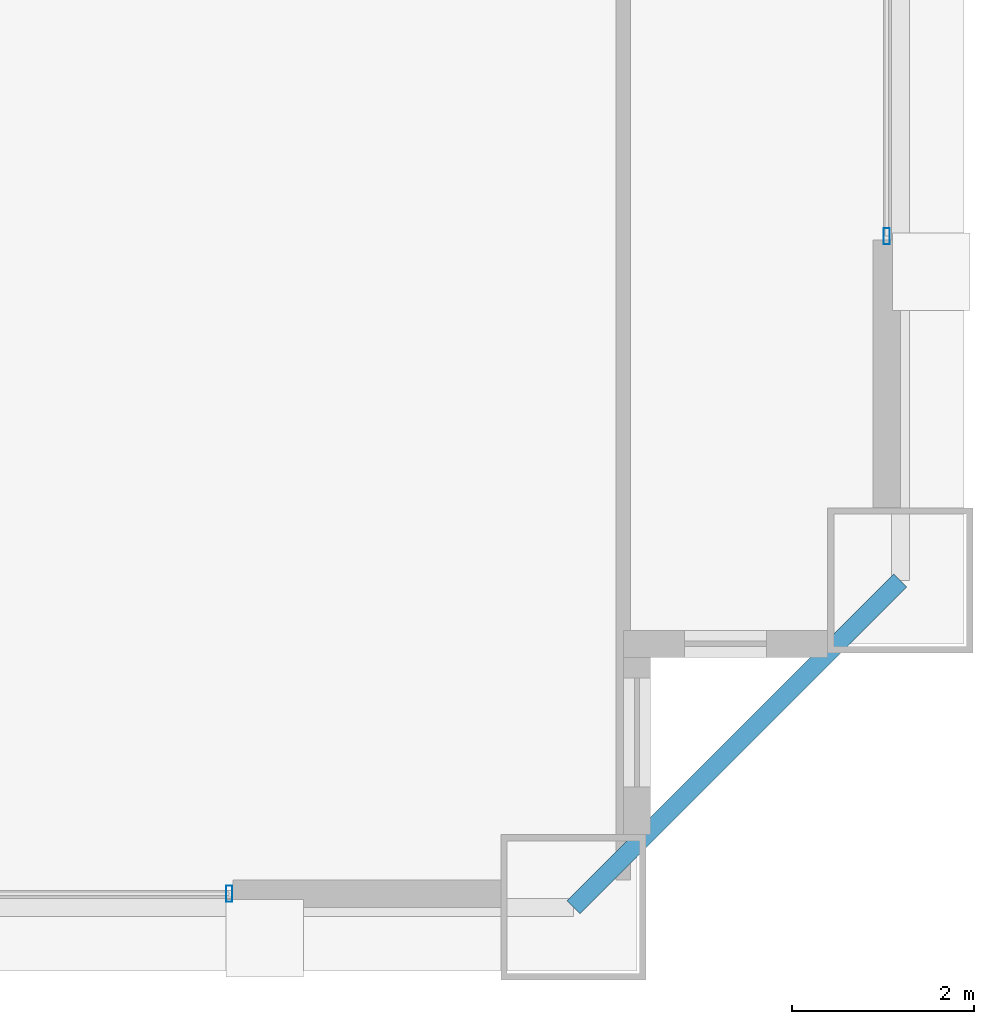
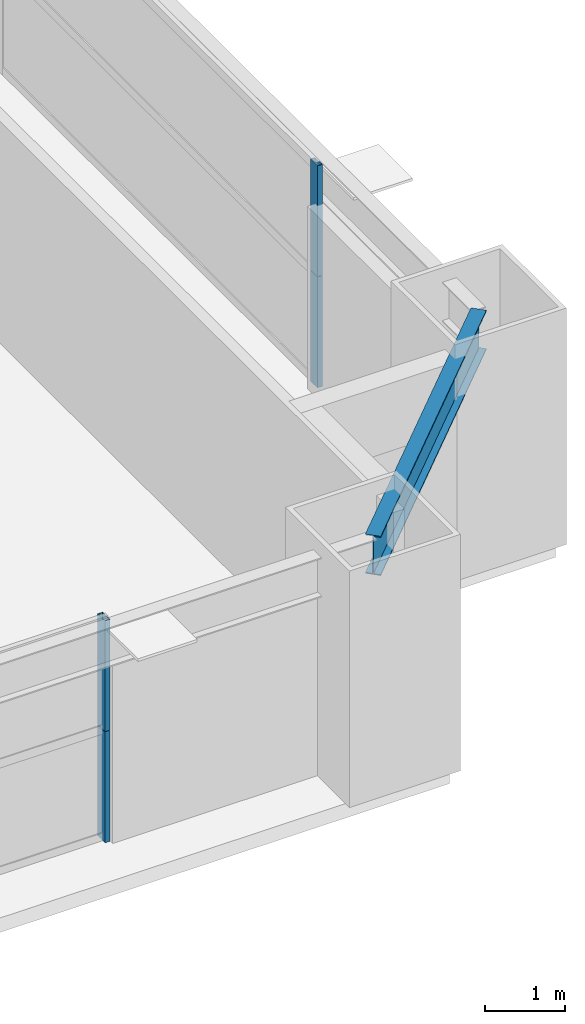
# One storey, part 15 of 38: 4 members, 1 beam, 2 elements without a shape of their own.
"""IFC4 building model written with IfcOpenShell, lengths in metres."""

from ifc_helpers import new_model, si_unit, direction, frame, origin, origin_2d, place, context, subcontext, project, spatial, hollow_rectangle, i_section, extrude, source, transform, mapped, material, layer, layer_set, material_profile, profile_set, type_object, element, aggregate, save


model = new_model("IFC4")

# Units and contexts
model_context = context("Model", 3, precision=1e-05, world=origin(), true_north=direction((0.0, 1.0)))
body_context = subcontext(model_context, "Body", "Model", "MODEL_VIEW")
ifc_project = project(units=[si_unit("LENGTHUNIT", "METRE"), si_unit("AREAUNIT", "SQUARE_METRE"), si_unit("VOLUMEUNIT", "CUBIC_METRE"), si_unit("PLANEANGLEUNIT", "RADIAN"), si_unit("MASSUNIT", "GRAM", prefix="KILO"), si_unit("THERMODYNAMICTEMPERATUREUNIT", "KELVIN"), si_unit("POWERUNIT", "WATT")], contexts=[model_context])

# Site, building, storey
site_placement = place(None, origin())
site = spatial("IfcSite", under=ifc_project, at=site_placement, CompositionType="ELEMENT")
building_placement = place(site_placement, origin())
building = spatial("IfcBuilding", under=site, at=building_placement, Name="Yuzanri Waterfront Tower", CompositionType="ELEMENT")
storey_placement = place(building_placement, frame((0.0, 0.0, 119.0)))
storey = spatial("IfcBuildingStorey", under=building, at=storey_placement, Name="L31", CompositionType="ELEMENT", Elevation=119.0)

# Beam
ifc_material_1 = material(Name="Steel Q355B", Category="steel")
ifc_material_profile_1 = material_profile(ifc_material_1, i_section(OverallWidth=0.199951171875, OverallDepth=0.60009765625, WebThickness=0.010986328125, FlangeThickness=0.01708984375, at=origin_2d()), Name="HN 600x200x11x17")
ifc_profile_set_1 = profile_set([ifc_material_profile_1], Name="Steel Q355B")
beam_type = type_object("IfcBeamType", Name="Perimeter Spandrel Q355B HN 600x200", PredefinedType="SPANDREL", material=ifc_profile_set_1)
shared_shape_1 = source(origin(), body_context, "Body", "SweptSolid", [
    extrude(i_section(OverallWidth=0.199951171875, OverallDepth=0.60009765625, WebThickness=0.010986328125, FlangeThickness=0.01708984375, at=origin_2d()), origin(), (0.0, 0.0, 1.0), 5.09130859375),
])
beam_placement = place(storey_placement, frame((57.0, 2.199951171875, 3.080078125), z_axis=(0.707106781187, 0.707106781187, 0.0), x_axis=(-0.707106781187, 0.707106781187, 0.0)))
element("IfcBeam", 1, at=beam_placement, inside=storey, type_object=beam_type, Name="L31 Perimeter Spandrel S3-E1", PredefinedType="SPANDREL", context=body_context, shape_type="MappedRepresentation", body=[
    mapped(shared_shape_1, transform((0.0, 0.0, 0.0), scale=1.0)),
])

# Curtain wall, members
ifc_material_2 = material(Name="Anodized Architectural Bronze", Category="metal")
ifc_layer = layer(ifc_material_2, 0.159912109375)
ifc_layer_set = layer_set([ifc_layer], Name="Anodized Architectural Bronze")
curtain_wall_type = type_object("IfcCurtainWallType", Name="Anodized Bronze Hotel Upper-Tier Solar-Control Unitized Curtain Wall 7800", PredefinedType="NOTDEFINED", material=ifc_layer_set)
curtain_wall_1_placement = place(storey_placement, origin())
curtain_wall_1 = element("IfcCurtainWall", 2, at=curtain_wall_1_placement, inside=storey, type_object=curtain_wall_type, Name="L31 Curtain Wall CW-L31-SR", PredefinedType="NOTDEFINED")
ifc_material_3 = material(Name="Anodized Architectural Bronze", Category="metal")
ifc_material_profile_2 = material_profile(ifc_material_3, hollow_rectangle(XDim=0.070068359375, YDim=0.179931640625, WallThickness=0.00390625, at=origin_2d()), Name="CWM 70x180")
ifc_profile_set_2 = profile_set([ifc_material_profile_2], Name="Anodized Architectural Bronze")
member_type = type_object("IfcMemberType", Name="Anodized Bronze Standard Curtain-Wall Mullion 70x180", PredefinedType="MULLION", material=ifc_profile_set_2)
shared_shape_2 = source(origin(), body_context, "Body", "SweptSolid", [
    extrude(hollow_rectangle(XDim=0.070068359375, YDim=0.179931640625, WallThickness=0.00390625, at=origin_2d()), origin(), (0.0, 0.0, 1.0), 1.68798828125),
])
member_1_placement = place(storey_placement, frame((53.2099609375, 2.35009765625, 0.0), z_axis=(0.0, 0.0, 1.0), x_axis=(1.0, 0.0, 0.0)))
member_1 = element("IfcMember", 3, at=member_1_placement, type_object=member_type, Name="CW-L31-SR Lower Mullion 02", PredefinedType="MULLION", context=body_context, shape_type="MappedRepresentation", body=[
    mapped(shared_shape_2, transform((0.0, 0.0, 0.0), scale=1.0)),
])
member_2_placement = place(storey_placement, frame((53.2099609375, 2.35009765625, 1.69189453125), z_axis=(0.0, 0.0, 1.0), x_axis=(1.0, 0.0, 0.0)))
member_2 = element("IfcMember", 4, at=member_2_placement, type_object=member_type, Name="CW-L31-SR Upper Mullion 02", PredefinedType="MULLION", context=body_context, shape_type="MappedRepresentation", body=[
    mapped(shared_shape_2, transform((0.0, 0.0, 0.0), scale=1.0)),
])
aggregate(curtain_wall_1, [member_1, member_2])

curtain_wall_2_placement = place(storey_placement, origin())
curtain_wall_2 = element("IfcCurtainWall", 5, at=curtain_wall_2_placement, inside=storey, type_object=curtain_wall_type, Name="L31 Curtain Wall CW-L31-EL", PredefinedType="NOTDEFINED")
member_3_placement = place(storey_placement, frame((60.449951171875, 9.590087890625, 0.0), z_axis=(0.0, 0.0, 1.0), x_axis=(1.0, 0.0, 0.0)))
member_3 = element("IfcMember", 6, at=member_3_placement, type_object=member_type, Name="CW-L31-EL Lower Mullion 00", PredefinedType="MULLION", context=body_context, shape_type="MappedRepresentation", body=[
    mapped(shared_shape_2, transform((0.0, 0.0, 0.0), scale=1.0)),
])
member_4_placement = place(storey_placement, frame((60.449951171875, 9.590087890625, 1.69189453125), z_axis=(0.0, 0.0, 1.0), x_axis=(1.0, 0.0, 0.0)))
member_4 = element("IfcMember", 7, at=member_4_placement, type_object=member_type, Name="CW-L31-EL Upper Mullion 00", PredefinedType="MULLION", context=body_context, shape_type="MappedRepresentation", body=[
    mapped(shared_shape_2, transform((0.0, 0.0, 0.0), scale=1.0)),
])
aggregate(curtain_wall_2, [member_3, member_4])

save(model, "model.ifc")
